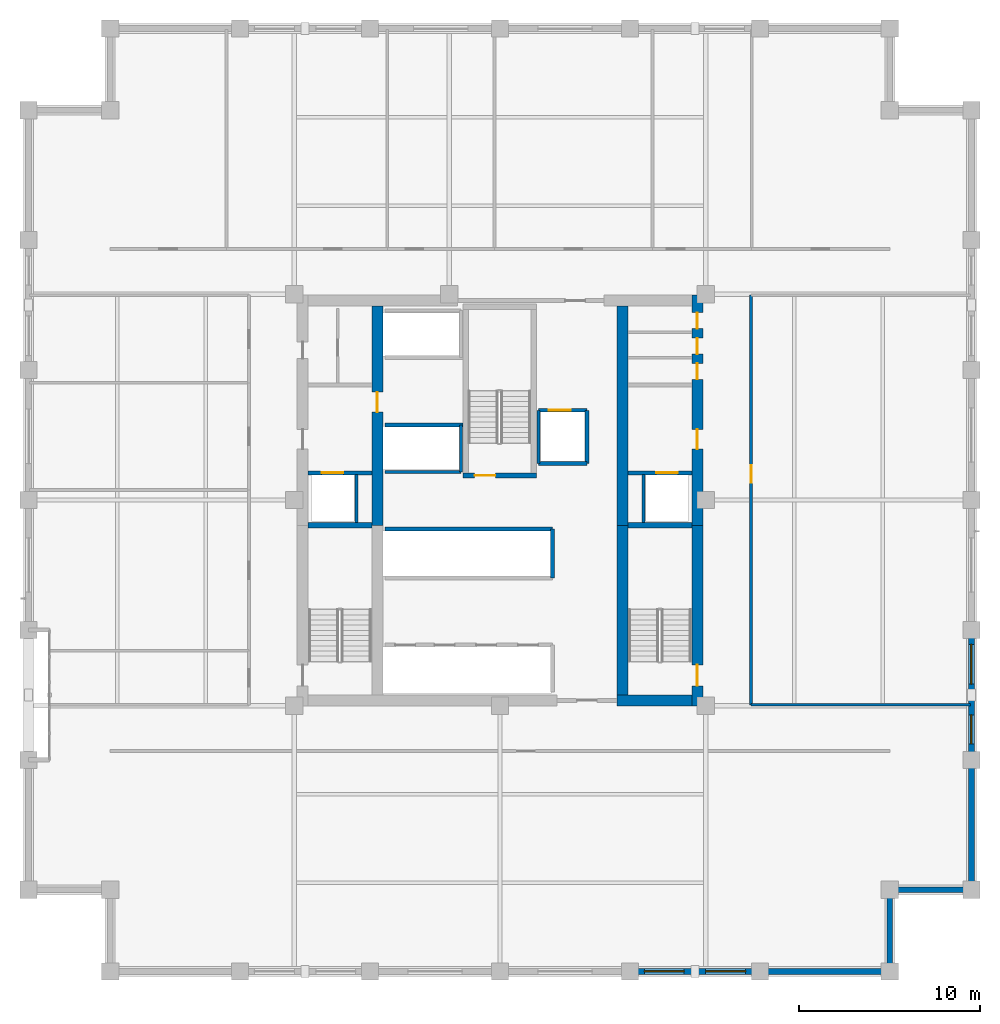
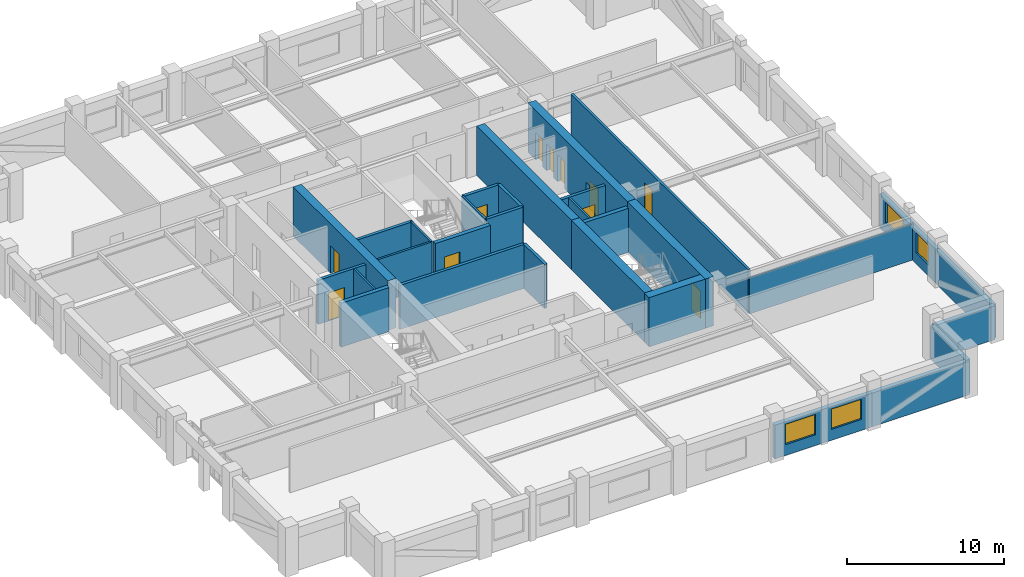
# One storey, part 10 of 14: 30 walls, 11 doors, 4 windows, 15 openings.
"""IFC4 building model written with IfcOpenShell, lengths in metres."""

import ifcopenshell
import ifcopenshell.guid

model = None  # the IFC model being written
_history = None  # IfcOwnerHistory: only IFC2X3 demands one
_inside = {}  # id of a spatial element -> (the spatial element, [elements in it])
_under = {}  # id of a project, library or spatial element -> (it, [spatial elements below it])
_declared = {}  # id of a project -> (the project, [libraries it declares])
_typed = {}  # id of a type object -> (the type object, [elements of that type])
_made_of = {}  # id of a material, layer set ... -> (it, [elements and type objects made of it])


def new_model(schema):
    """Start an empty IFC model of exactly this schema.

    Asked for "IFC4X3", IfcOpenShell would pick the latest addendum, in which some entities
    have other attributes; the version numbers below select the first issue.
    IFC2X3 requires an IfcOwnerHistory on every rooted entity: one is made here for all.
    """
    global model, _history
    if schema == "IFC4X3":
        model = ifcopenshell.file(schema_version=(4, 3, 0, 0))
    else:
        model = ifcopenshell.file(schema=schema)
    _inside.clear()
    _under.clear()
    _declared.clear()
    _typed.clear()
    _made_of.clear()
    _history = None
    if model.schema == "IFC2X3":
        org = make("IfcOrganization", Name="unknown")
        user = make(
            "IfcPersonAndOrganization",
            ThePerson=make("IfcPerson", FamilyName="unknown"),
            TheOrganization=org,
        )
        app = make(
            "IfcApplication",
            ApplicationDeveloper=org,
            Version="unknown",
            ApplicationFullName="unknown",
            ApplicationIdentifier="unknown",
        )
        _history = make(
            "IfcOwnerHistory",
            OwningUser=user,
            OwningApplication=app,
            ChangeAction="ADDED",
            CreationDate=0,
        )
    return model


def make(cls, **values):
    """One entity of the class cls with the attributes given. An attribute that is None is left unset."""
    return model.create_entity(
        cls, **{name: value for name, value in values.items() if value is not None}
    )


def rooted(cls, **values):
    """An entity with a GlobalId (a new one), such as an element, a storey or a relation."""
    return make(cls, GlobalId=ifcopenshell.guid.new(), OwnerHistory=_history, **values)


def si_unit(unit_type, name, prefix=None):
    """IfcSIUnit, for example si_unit("LENGTHUNIT", "METRE", prefix="MILLI")."""
    return make("IfcSIUnit", UnitType=unit_type, Prefix=prefix, Name=name)


def assignment(units):
    """IfcUnitAssignment: the units of a project."""
    return None if units is None else make("IfcUnitAssignment", Units=units)


def point(xyz):
    """IfcCartesianPoint."""
    return None if xyz is None else make("IfcCartesianPoint", Coordinates=xyz)


def direction(xyz):
    """IfcDirection."""
    return None if xyz is None else make("IfcDirection", DirectionRatios=xyz)


def frame(location, z_axis=None, x_axis=None):
    """IfcAxis2Placement3D, a coordinate frame: its origin and axes. An axis left out is left unset."""
    return make(
        "IfcAxis2Placement3D",
        Location=point(location),
        Axis=direction(z_axis),
        RefDirection=direction(x_axis),
    )


def frame_2d(location, x_axis=None):
    """IfcAxis2Placement2D, a coordinate frame in the plane: its origin and x axis."""
    return make(
        "IfcAxis2Placement2D", Location=point(location), RefDirection=direction(x_axis)
    )


def origin():
    """The frame at (0, 0, 0) with its axes left unset."""
    return frame((0.0, 0.0, 0.0))


def place(relative_to, where):
    """IfcLocalPlacement: puts the frame where relative to a parent placement (None: the world)."""
    return make(
        "IfcLocalPlacement", PlacementRelTo=relative_to, RelativePlacement=where
    )


def context(
    kind, dimensions, precision=None, world=None, true_north=None, identifier=None
):
    """IfcGeometricRepresentationContext, for example the 3D "Model" context."""
    return make(
        "IfcGeometricRepresentationContext",
        ContextIdentifier=identifier,
        ContextType=kind,
        CoordinateSpaceDimension=dimensions,
        Precision=precision,
        WorldCoordinateSystem=world,
        TrueNorth=true_north,
    )


def subcontext(parent, identifier, kind, view, scale=None):
    """IfcGeometricRepresentationSubContext, for example "Body" below "Model"."""
    return make(
        "IfcGeometricRepresentationSubContext",
        ContextIdentifier=identifier,
        ContextType=kind,
        ParentContext=parent,
        TargetScale=scale,
        TargetView=view,
    )


def project(units=None, contexts=None):
    """IfcProject with its units and contexts."""
    return rooted(
        "IfcProject",
        Name="project",
        RepresentationContexts=contexts,
        UnitsInContext=assignment(units),
    )


def spatial(cls, under=None, at=None, **own):
    """A site, building, storey or space (cls), placed at a placement, below another one or the project."""
    s = rooted(cls, ObjectPlacement=at, **own)
    if under is not None:
        _under.setdefault(under.id(), (under, []))[1].append(s)
    return s


def profile(cls, at=None, kind="AREA", **sizes):
    """A parametric profile (cls). Its sizes go by their IFC names, for example OverallWidth=200.0."""
    return make(cls, ProfileType=kind, Position=at, **sizes)


def rectangle(**sizes):
    """IfcRectangleProfileDef."""
    return profile("IfcRectangleProfileDef", **sizes)


def extrude(swept, where, along, depth):
    """IfcExtrudedAreaSolid: the profile swept, set in the frame where, extruded along a direction by depth."""
    return make(
        "IfcExtrudedAreaSolid",
        SweptArea=swept,
        Position=where,
        ExtrudedDirection=direction(along),
        Depth=depth,
    )


def shape(context_of_items, identifier, shape_type, items):
    """IfcShapeRepresentation: the items that make up one representation, for example the "Body"."""
    return make(
        "IfcShapeRepresentation",
        ContextOfItems=context_of_items,
        RepresentationIdentifier=identifier,
        RepresentationType=shape_type,
        Items=items,
    )


def material(Name=None, Category=None):
    """IfcMaterial."""
    return make("IfcMaterial", Name=Name, Category=Category)


def layer(
    of_material, thickness, ventilated=None, Name=None, Category=None, Priority=None
):
    """IfcMaterialLayer: one layer of a wall or slab, of a material (None: an air gap)."""
    return make(
        "IfcMaterialLayer",
        Material=of_material,
        LayerThickness=thickness,
        IsVentilated=ventilated,
        Name=Name,
        Category=Category,
        Priority=Priority,
    )


def layer_set(layers, Name=None):
    """IfcMaterialLayerSet."""
    return make("IfcMaterialLayerSet", MaterialLayers=layers, LayerSetName=Name)


def made_of(thing, what):
    """Note that an element or type object is made of a material, layer set ...; save() writes the relation."""
    if what is not None:
        _made_of.setdefault(what.id(), (what, []))[1].append(thing)
    return thing


def type_object(cls, material=None, **own):
    """A type object (cls), such as IfcWallType, which elements share."""
    return made_of(rooted(cls, **own), material)


def element(
    cls,
    number,
    at=None,
    inside=None,
    cuts=None,
    type_object=None,
    material=None,
    context=None,
    identifier="Body",
    shape_type=None,
    held_by="IfcProductDefinitionShape",
    body=None,
    shapes=None,
    **own,
):
    """One element of the class cls, such as IfcWall. Its Tag is "e" and its number.

    at: its placement. inside: the storey or other place that contains it. cuts: it is an
    opening in that element (IfcRelVoidsElement). A single representation is given by context,
    identifier, shape_type and body (its items); several are given by shapes. held_by: the class
    of the entity that holds the representations. save() writes the other relations.
    """
    e = rooted(cls, Tag="e%d" % number, ObjectPlacement=at, **own)
    if body is not None:
        shapes = [shape(context, identifier, shape_type, body)]
    if shapes is not None:
        e.Representation = make(held_by, Representations=shapes)
    if inside is not None:
        _inside.setdefault(inside.id(), (inside, []))[1].append(e)
    if cuts is not None:
        rooted(
            "IfcRelVoidsElement", RelatingBuildingElement=cuts, RelatedOpeningElement=e
        )
    if type_object is not None:
        _typed.setdefault(type_object.id(), (type_object, []))[1].append(e)
    return made_of(e, material)


def fill(opening, filler):
    """IfcRelFillsElement: the door or window that sits in an opening."""
    return rooted(
        "IfcRelFillsElement",
        RelatingOpeningElement=opening,
        RelatedBuildingElement=filler,
    )


def aggregate(whole, parts):
    """IfcRelAggregates: a whole, such as a stair, and the parts it consists of."""
    return rooted("IfcRelAggregates", RelatingObject=whole, RelatedObjects=parts)


def save(model, path):
    """Write the relations noted so far, then the file.

    IfcRelAggregates (storeys below a building ...), IfcRelContainedInSpatialStructure (elements
    in a storey), IfcRelDefinesByType, IfcRelAssociatesMaterial and IfcRelDeclares: one each for
    every whole, place, type object, material and project.
    """
    for whole, parts in _under.values():
        aggregate(whole, parts)
    for where, things in _inside.values():
        rooted(
            "IfcRelContainedInSpatialStructure",
            RelatedElements=things,
            RelatingStructure=where,
        )
    for kind, things in _typed.values():
        rooted("IfcRelDefinesByType", RelatedObjects=things, RelatingType=kind)
    for what, things in _made_of.values():
        rooted("IfcRelAssociatesMaterial", RelatedObjects=things, RelatingMaterial=what)
    for by, libraries in _declared.values():
        rooted("IfcRelDeclares", RelatingContext=by, RelatedDefinitions=libraries)
    model.write(path)


model = new_model("IFC4")

# Units and contexts
model_context = context("Model", 3, precision=1e-05, world=origin(), true_north=direction((0.0, 1.0)))
body_context = subcontext(model_context, "Body", "Model", "MODEL_VIEW")
ifc_project = project(units=[si_unit("LENGTHUNIT", "METRE"), si_unit("AREAUNIT", "SQUARE_METRE"), si_unit("VOLUMEUNIT", "CUBIC_METRE"), si_unit("PLANEANGLEUNIT", "RADIAN"), si_unit("MASSUNIT", "GRAM", prefix="KILO")], contexts=[model_context])

# Site, building, storey
site_placement = place(None, origin())
site = spatial("IfcSite", under=ifc_project, at=site_placement, CompositionType="ELEMENT")
building_placement = place(site_placement, origin())
building = spatial("IfcBuilding", under=site, at=building_placement, Name="Nhamokura Convention Tower", CompositionType="ELEMENT")
storey_placement = place(building_placement, frame((0.0, 0.0, 172.199951171875)))
storey = spatial("IfcBuildingStorey", under=building, at=storey_placement, Name="L42", CompositionType="ELEMENT", Elevation=172.199951171875)

# Wall, openings, windows
ifc_material_1 = material(Name="Bronze-pigmented precast concrete C45/55", Category="concrete")
ifc_layer_1 = layer(ifc_material_1, 0.320068359375)
ifc_layer_set_1 = layer_set([ifc_layer_1], Name="BronzePrecastSpandrel_320")
wall_type_1 = type_object("IfcWallType", Name="BronzePrecastSpandrel_320", PredefinedType="USERDEFINED", material=ifc_layer_set_1)
wall_1_placement = place(storey_placement, frame((46.333251953125, 6.0, 0.0), z_axis=(0.0, 0.0, 1.0), x_axis=(-1.0, 0.0, 0.0)))
wall_1 = element("IfcWall", 1, at=wall_1_placement, inside=storey, type_object=wall_type_1, Name="L42 Masonry-Frame Wall SOUTH 4", ObjectType="SPANDREL_WALL", PredefinedType="USERDEFINED", context=body_context, shape_type="SweptSolid", body=[
    extrude(rectangle(XDim=7.16650390625, YDim=0.320068359375, at=frame_2d((3.583251953125, 0.0))), origin(), (0.0, 0.0, 1.0), 2.630126953125),
])
opening_1_placement = place(wall_1_placement, frame((0.791748046875, 0.0, 0.85009765625)))
opening_1 = element("IfcOpeningElement", 2, at=opening_1_placement, cuts=wall_1, Name="Opening W-06", PredefinedType="OPENING", context=body_context, shape_type="SweptSolid", body=[
    extrude(rectangle(XDim=2.199951171875, YDim=1.580078125, at=frame_2d((1.10009765625, 0.7900390625))), frame((0.0, 0.169921875, 0.0), z_axis=(0.0, -1.0, 0.0), x_axis=(1.0, 0.0, 0.0)), (0.0, 0.0, 1.0), 0.340087890625),
])
opening_2_placement = place(wall_1_placement, frame((4.175048828125, 0.0, 0.85009765625)))
opening_2 = element("IfcOpeningElement", 3, at=opening_2_placement, cuts=wall_1, Name="Opening W-06", PredefinedType="OPENING", context=body_context, shape_type="SweptSolid", body=[
    extrude(rectangle(XDim=2.199951171875, YDim=1.580078125, at=frame_2d((1.10009765625, 0.7900390625))), frame((0.0, 0.169921875, 0.0), z_axis=(0.0, -1.0, 0.0), x_axis=(1.0, 0.0, 0.0)), (0.0, 0.0, 1.0), 0.340087890625),
])
ifc_material_2 = material(Name="Solar-control bronze low-E double glass", Category="glass")
window_type_1 = type_object("IfcWindowType", Name="OfficeModuleWindow_Z2_2200", PartitioningType="SINGLE_PANEL", PredefinedType="WINDOW", material=ifc_material_2)
window_1_placement = place(opening_1_placement, origin())
window_1 = element("IfcWindow", 4, at=window_1_placement, inside=storey, type_object=window_type_1, Name="L42 Facade Window SOUTH 4-1", OverallHeight=1.580078125, OverallWidth=2.199951171875, PartitioningType="SINGLE_PANEL", PredefinedType="WINDOW", context=body_context, shape_type="SweptSolid", body=[
    extrude(rectangle(XDim=2.199951171875, YDim=1.580078125, at=frame_2d((1.10009765625, 0.7900390625))), frame((0.0, 0.030029296875, 0.0), z_axis=(0.0, -1.0, 0.0), x_axis=(1.0, 0.0, 0.0)), (0.0, 0.0, 1.0), 0.06005859375),
])
fill(opening_1, window_1)
window_2_placement = place(opening_2_placement, origin())
window_2 = element("IfcWindow", 5, at=window_2_placement, inside=storey, type_object=window_type_1, Name="L42 Facade Window SOUTH 4-2", OverallHeight=1.580078125, OverallWidth=2.199951171875, PartitioningType="SINGLE_PANEL", PredefinedType="WINDOW", context=body_context, shape_type="SweptSolid", body=[
    extrude(rectangle(XDim=2.199951171875, YDim=1.580078125, at=frame_2d((1.10009765625, 0.7900390625))), frame((0.0, 0.030029296875, 0.0), z_axis=(0.0, -1.0, 0.0), x_axis=(1.0, 0.0, 0.0)), (0.0, 0.0, 1.0), 0.06005859375),
])
fill(opening_2, window_2)

# Walls
for number, where, z_axis, x_axis, name in (
    (6, (53.5, 6.0, 0.0), (0.0, 0.0, 1.0), (-1.0, 0.0, 0.0), "L42 Braced-Bay Precast Wall SOUTH 5"),
    (7, (58.0, 17.666748046875, 0.0), (0.0, 0.0, 1.0), (0.0, -1.0, 0.0), "L42 Braced-Bay Precast Wall EAST 0"),
):
    element("IfcWall", number, at=place(storey_placement, frame(where, z_axis=z_axis, x_axis=x_axis)), inside=storey, type_object=wall_type_1, Name=name, ObjectType="SPANDREL_WALL", PredefinedType="USERDEFINED", context=body_context, shape_type="SweptSolid", body=[
        extrude(rectangle(XDim=7.166748046875, YDim=0.320068359375, at=frame_2d((3.58349609375, 0.0))), origin(), (0.0, 0.0, 1.0), 2.630126953125),
    ])

# Wall, openings, windows
wall_2_placement = place(storey_placement, frame((58.0, 24.833251953125, 0.0), z_axis=(0.0, 0.0, 1.0), x_axis=(0.0, -1.0, 0.0)))
wall_2 = element("IfcWall", 8, at=wall_2_placement, inside=storey, type_object=wall_type_1, Name="L42 Masonry-Frame Wall EAST 1", ObjectType="SPANDREL_WALL", PredefinedType="USERDEFINED", context=body_context, shape_type="SweptSolid", body=[
    extrude(rectangle(XDim=7.16650390625, YDim=0.320068359375, at=frame_2d((3.583251953125, 0.0))), origin(), (0.0, 0.0, 1.0), 2.630126953125),
])
opening_3_placement = place(wall_2_placement, frame((0.791748046875, 0.0, 0.85009765625)))
opening_3 = element("IfcOpeningElement", 9, at=opening_3_placement, cuts=wall_2, Name="Opening W-06", PredefinedType="OPENING", context=body_context, shape_type="SweptSolid", body=[
    extrude(rectangle(XDim=2.199951171875, YDim=1.580078125, at=frame_2d((1.10009765625, 0.7900390625))), frame((0.0, 0.169921875, 0.0), z_axis=(0.0, -1.0, 0.0), x_axis=(1.0, 0.0, 0.0)), (0.0, 0.0, 1.0), 0.340087890625),
])
opening_4_placement = place(wall_2_placement, frame((4.6875, 0.0, 0.85009765625)))
opening_4 = element("IfcOpeningElement", 10, at=opening_4_placement, cuts=wall_2, Name="Opening W-11", PredefinedType="OPENING", context=body_context, shape_type="SweptSolid", body=[
    extrude(rectangle(XDim=1.60009765625, YDim=1.580078125, at=frame_2d((0.800048828125, 0.7900390625))), frame((0.0, 0.169921875, 0.0), z_axis=(0.0, -1.0, 0.0), x_axis=(1.0, 0.0, 0.0)), (0.0, 0.0, 1.0), 0.340087890625),
])
ifc_material_3 = material(Name="Solar-control bronze low-E double glass", Category="glass")
window_type_2 = type_object("IfcWindowType", Name="NotchCornerWindow_1600", PartitioningType="SINGLE_PANEL", PredefinedType="WINDOW", material=ifc_material_3)
window_3_placement = place(opening_4_placement, origin())
window_3 = element("IfcWindow", 11, at=window_3_placement, inside=storey, type_object=window_type_2, Name="L42 Facade Window EAST 1-2", OverallHeight=1.580078125, OverallWidth=1.60009765625, PartitioningType="SINGLE_PANEL", PredefinedType="WINDOW", context=body_context, shape_type="SweptSolid", body=[
    extrude(rectangle(XDim=1.60009765625, YDim=1.580078125, at=frame_2d((0.800048828125, 0.7900390625))), frame((0.0, 0.030029296875, 0.0), z_axis=(0.0, -1.0, 0.0), x_axis=(1.0, 0.0, 0.0)), (0.0, 0.0, 1.0), 0.06005859375),
])
fill(opening_4, window_3)
window_4_placement = place(opening_3_placement, origin())
window_4 = element("IfcWindow", 12, at=window_4_placement, inside=storey, type_object=window_type_1, Name="L42 Facade Window EAST 1-1", OverallHeight=1.580078125, OverallWidth=2.199951171875, PartitioningType="SINGLE_PANEL", PredefinedType="WINDOW", context=body_context, shape_type="SweptSolid", body=[
    extrude(rectangle(XDim=2.199951171875, YDim=1.580078125, at=frame_2d((1.10009765625, 0.7900390625))), frame((0.0, 0.030029296875, 0.0), z_axis=(0.0, -1.0, 0.0), x_axis=(1.0, 0.0, 0.0)), (0.0, 0.0, 1.0), 0.06005859375),
])
fill(opening_3, window_4)

# Walls
for number, where, z_axis, x_axis, name in (
    (13, (53.5, 10.5, 0.0), (0.0, 0.0, 1.0), (0.0, -1.0, 0.0), "L42 Notched Corner Wall SE1"),
    (14, (58.0, 10.5, 0.0), (0.0, 0.0, 1.0), (-1.0, 0.0, 0.0), "L42 Notched Corner Wall SE2"),
):
    element("IfcWall", number, at=place(storey_placement, frame(where, z_axis=z_axis, x_axis=x_axis)), inside=storey, type_object=wall_type_1, Name=name, ObjectType="SPANDREL_WALL", PredefinedType="USERDEFINED", context=body_context, shape_type="SweptSolid", body=[
        extrude(rectangle(XDim=4.5, YDim=0.320068359375, at=frame_2d((2.25, 0.0))), origin(), (0.0, 0.0, 1.0), 2.630126953125),
    ])

# Wall, opening, door
ifc_material_4 = material(Name="Concrete C60/75", Category="concrete")
ifc_layer_2 = layer(ifc_material_4, 0.60009765625)
ifc_layer_set_2 = layer_set([ifc_layer_2], Name="CoreShearWall_600")
wall_type_2 = type_object("IfcWallType", Name="CoreShearWall_600", PredefinedType="SHEAR", material=ifc_layer_set_2)
wall_3_placement = place(storey_placement, frame((42.889892578125, 20.64990234375, 0.0), z_axis=(0.0, 0.0, 1.0), x_axis=(0.0, 1.0, 0.0)))
wall_3 = element("IfcWall", 15, at=wall_3_placement, inside=storey, type_object=wall_type_2, Name="L42 Core Shear Wall CW-ES", PredefinedType="SHEAR", context=body_context, shape_type="SweptSolid", body=[
    extrude(rectangle(XDim=9.9501953125, YDim=0.60009765625, at=frame_2d((4.97509765625, 0.0))), origin(), (0.0, 0.0, 1.0), 3.85009765625),
])
opening_5_placement = place(wall_3_placement, frame((1.10009765625, 0.0, 0.0)))
opening_5 = element("IfcOpeningElement", 16, at=opening_5_placement, cuts=wall_3, Name="Opening D-04", PredefinedType="OPENING", context=body_context, shape_type="SweptSolid", body=[
    extrude(rectangle(XDim=1.14990234375, YDim=2.14990234375, at=frame_2d((0.574951171875, 1.074951171875))), frame((0.0, 0.31005859375, 0.0), z_axis=(0.0, -1.0, 0.0), x_axis=(1.0, 0.0, 0.0)), (0.0, 0.0, 1.0), 0.6201171875),
])
ifc_material_5 = material(Name="Fire-rated steel door", Category="steel")
door_type_1 = type_object("IfcDoorType", Name="StairSmokeDoor_1150", OperationType="NOTDEFINED", PredefinedType="DOOR", material=ifc_material_5)
door_1_placement = place(opening_5_placement, origin())
door_1 = element("IfcDoor", 17, at=door_1_placement, inside=storey, type_object=door_type_1, Name="L42 Core Door INT-L42-D-ST02", OperationType="SINGLE_SWING_RIGHT", OverallHeight=2.14990234375, OverallWidth=1.14990234375, PredefinedType="DOOR", context=body_context, shape_type="SweptSolid", body=[
    extrude(rectangle(XDim=1.14990234375, YDim=2.14990234375, at=frame_2d((0.574951171875, 1.074951171875))), frame((0.0, 0.02490234375, 0.0), z_axis=(0.0, -1.0, 0.0), x_axis=(1.0, 0.0, 0.0)), (0.0, 0.0, 1.0), 0.050048828125),
])
fill(opening_5, door_1)

# Wall, openings, doors
wall_4_placement = place(storey_placement, frame((42.889892578125, 30.60009765625, 0.0), z_axis=(0.0, 0.0, 1.0), x_axis=(0.0, 1.0, 0.0)))
wall_4 = element("IfcWall", 18, at=wall_4_placement, inside=storey, type_object=wall_type_2, Name="L42 Core Shear Wall CW-EN", PredefinedType="SHEAR", context=body_context, shape_type="SweptSolid", body=[
    extrude(rectangle(XDim=12.699951171875, YDim=0.60009765625, at=frame_2d((6.35009765625, 0.0))), origin(), (0.0, 0.0, 1.0), 3.85009765625),
])
opening_6_placement = place(wall_4_placement, frame((4.199951171875, 0.0, 0.0)))
opening_6 = element("IfcOpeningElement", 19, at=opening_6_placement, cuts=wall_4, Name="Opening D-05", PredefinedType="OPENING", context=body_context, shape_type="SweptSolid", body=[
    extrude(rectangle(XDim=1.10009765625, YDim=2.14990234375, at=frame_2d((0.550048828125, 1.074951171875))), frame((0.0, 0.31005859375, 0.0), z_axis=(0.0, -1.0, 0.0), x_axis=(1.0, 0.0, 0.0)), (0.0, 0.0, 1.0), 0.6201171875),
])
opening_7_placement = place(wall_4_placement, frame((8.050048828125, 0.0, 0.0)))
opening_7 = element("IfcOpeningElement", 20, at=opening_7_placement, cuts=wall_4, Name="Opening D-11", PredefinedType="OPENING", context=body_context, shape_type="SweptSolid", body=[
    extrude(rectangle(XDim=0.8798828125, YDim=2.10009765625, at=frame_2d((0.43994140625, 1.050048828125))), frame((0.0, 0.31005859375, 0.0), z_axis=(0.0, -1.0, 0.0), x_axis=(1.0, 0.0, 0.0)), (0.0, 0.0, 1.0), 0.6201171875),
])
opening_8_placement = place(wall_4_placement, frame((9.449951171875, 0.0, 0.0)))
opening_8 = element("IfcOpeningElement", 21, at=opening_8_placement, cuts=wall_4, Name="Opening D-11", PredefinedType="OPENING", context=body_context, shape_type="SweptSolid", body=[
    extrude(rectangle(XDim=0.8798828125, YDim=2.10009765625, at=frame_2d((0.43994140625, 1.050048828125))), frame((0.0, 0.31005859375, 0.0), z_axis=(0.0, -1.0, 0.0), x_axis=(1.0, 0.0, 0.0)), (0.0, 0.0, 1.0), 0.6201171875),
])
opening_9_placement = place(wall_4_placement, frame((10.85009765625, 0.0, 0.0)))
opening_9 = element("IfcOpeningElement", 22, at=opening_9_placement, cuts=wall_4, Name="Opening D-11", PredefinedType="OPENING", context=body_context, shape_type="SweptSolid", body=[
    extrude(rectangle(XDim=0.8798828125, YDim=2.10009765625, at=frame_2d((0.43994140625, 1.050048828125))), frame((0.0, 0.31005859375, 0.0), z_axis=(0.0, -1.0, 0.0), x_axis=(1.0, 0.0, 0.0)), (0.0, 0.0, 1.0), 0.6201171875),
])
ifc_material_6 = material(Name="Solid oak hardwood", Category="wood")
door_type_2 = type_object("IfcDoorType", Name="BathroomDoor_880", OperationType="NOTDEFINED", PredefinedType="DOOR", material=ifc_material_6)
door_2_placement = place(opening_7_placement, origin())
door_2 = element("IfcDoor", 23, at=door_2_placement, inside=storey, type_object=door_type_2, Name="L42 Core Door INT-L42-D-MWC", OperationType="SINGLE_SWING_LEFT", OverallHeight=2.10009765625, OverallWidth=0.8798828125, PredefinedType="DOOR", context=body_context, shape_type="SweptSolid", body=[
    extrude(rectangle(XDim=0.8798828125, YDim=2.10009765625, at=frame_2d((0.43994140625, 1.050048828125))), frame((0.0, 0.02490234375, 0.0), z_axis=(0.0, -1.0, 0.0), x_axis=(1.0, 0.0, 0.0)), (0.0, 0.0, 1.0), 0.050048828125),
])
fill(opening_7, door_2)
door_3_placement = place(opening_8_placement, origin())
door_3 = element("IfcDoor", 24, at=door_3_placement, inside=storey, type_object=door_type_2, Name="L42 Core Door INT-L42-D-FWC", OperationType="SINGLE_SWING_RIGHT", OverallHeight=2.10009765625, OverallWidth=0.8798828125, PredefinedType="DOOR", context=body_context, shape_type="SweptSolid", body=[
    extrude(rectangle(XDim=0.8798828125, YDim=2.10009765625, at=frame_2d((0.43994140625, 1.050048828125))), frame((0.0, 0.02490234375, 0.0), z_axis=(0.0, -1.0, 0.0), x_axis=(1.0, 0.0, 0.0)), (0.0, 0.0, 1.0), 0.050048828125),
])
fill(opening_8, door_3)
door_4_placement = place(opening_9_placement, origin())
door_4 = element("IfcDoor", 25, at=door_4_placement, inside=storey, type_object=door_type_2, Name="L42 Core Door INT-L42-D-ARC", OperationType="SINGLE_SWING_LEFT", OverallHeight=2.10009765625, OverallWidth=0.8798828125, PredefinedType="DOOR", context=body_context, shape_type="SweptSolid", body=[
    extrude(rectangle(XDim=0.8798828125, YDim=2.10009765625, at=frame_2d((0.43994140625, 1.050048828125))), frame((0.0, 0.02490234375, 0.0), z_axis=(0.0, -1.0, 0.0), x_axis=(1.0, 0.0, 0.0)), (0.0, 0.0, 1.0), 0.050048828125),
])
fill(opening_9, door_4)
ifc_material_7 = material(Name="Fire-rated steel door", Category="steel")
door_type_3 = type_object("IfcDoorType", Name="FireLobbyDoor_1100", OperationType="NOTDEFINED", PredefinedType="DOOR", material=ifc_material_7)
door_5_placement = place(opening_6_placement, origin())
door_5 = element("IfcDoor", 26, at=door_5_placement, inside=storey, type_object=door_type_3, Name="L42 Core Door INT-L42-D-FFLE", OperationType="SINGLE_SWING_LEFT", OverallHeight=2.14990234375, OverallWidth=1.10009765625, PredefinedType="DOOR", context=body_context, shape_type="SweptSolid", body=[
    extrude(rectangle(XDim=1.10009765625, YDim=2.14990234375, at=frame_2d((0.550048828125, 1.074951171875))), frame((0.0, 0.02490234375, 0.0), z_axis=(0.0, -1.0, 0.0), x_axis=(1.0, 0.0, 0.0)), (0.0, 0.0, 1.0), 0.050048828125),
])
fill(opening_6, door_5)

# Wall
wall_5_placement = place(storey_placement, frame((38.449951171875, 20.949951171875, 0.0), z_axis=(0.0, 0.0, 1.0), x_axis=(1.0, 0.0, 0.0)))
element("IfcWall", 27, at=wall_5_placement, inside=storey, type_object=wall_type_2, Name="L42 Core Shear Wall CW-S2", PredefinedType="SHEAR", context=body_context, shape_type="SweptSolid", body=[
    extrude(rectangle(XDim=4.14013671875, YDim=0.60009765625, at=frame_2d((2.070068359375, 0.0))), origin(), (0.0, 0.0, 1.0), 3.85009765625),
])

# Wall, opening, door
wall_6_placement = place(storey_placement, frame((25.239990234375, 30.60009765625, 0.0), z_axis=(0.0, 0.0, 1.0), x_axis=(0.0, 1.0, 0.0)))
wall_6 = element("IfcWall", 28, at=wall_6_placement, inside=storey, type_object=wall_type_2, Name="L42 Core Shear Wall CW-IWN", PredefinedType="SHEAR", context=body_context, shape_type="SweptSolid", body=[
    extrude(rectangle(XDim=12.099853515625, YDim=0.60009765625, at=frame_2d((6.0498046875, 0.0))), origin(), (0.0, 0.0, 1.0), 3.85009765625),
])
opening_10_placement = place(wall_6_placement, frame((6.25, 0.0, 0.0)))
opening_10 = element("IfcOpeningElement", 29, at=opening_10_placement, cuts=wall_6, Name="Opening D-05", PredefinedType="OPENING", context=body_context, shape_type="SweptSolid", body=[
    extrude(rectangle(XDim=1.10009765625, YDim=2.14990234375, at=frame_2d((0.550048828125, 1.074951171875))), frame((0.0, 0.31005859375, 0.0), z_axis=(0.0, -1.0, 0.0), x_axis=(1.0, 0.0, 0.0)), (0.0, 0.0, 1.0), 0.6201171875),
])
door_6_placement = place(opening_10_placement, origin())
door_6 = element("IfcDoor", 30, at=door_6_placement, inside=storey, type_object=door_type_3, Name="L42 Core Door INT-L42-D-B3LOB", OperationType="SINGLE_SWING_LEFT", OverallHeight=2.14990234375, OverallWidth=1.10009765625, PredefinedType="DOOR", context=body_context, shape_type="SweptSolid", body=[
    extrude(rectangle(XDim=1.10009765625, YDim=2.14990234375, at=frame_2d((0.550048828125, 1.074951171875))), frame((0.0, 0.02490234375, 0.0), z_axis=(0.0, -1.0, 0.0), x_axis=(1.0, 0.0, 0.0)), (0.0, 0.0, 1.0), 0.050048828125),
])
fill(opening_10, door_6)

# Walls
wall_7_placement = place(storey_placement, frame((38.760009765625, 21.25, 0.0), z_axis=(0.0, 0.0, 1.0), x_axis=(0.0, 1.0, 0.0)))
element("IfcWall", 31, at=wall_7_placement, inside=storey, type_object=wall_type_2, Name="L42 Core Shear Wall CW-IES", PredefinedType="SHEAR", context=body_context, shape_type="SweptSolid", body=[
    extrude(rectangle(XDim=9.35009765625, YDim=0.60009765625, at=frame_2d((4.675048828125, 0.0))), origin(), (0.0, 0.0, 1.0), 3.85009765625),
])
wall_8_placement = place(storey_placement, frame((38.760009765625, 30.60009765625, 0.0), z_axis=(0.0, 0.0, 1.0), x_axis=(0.0, 1.0, 0.0)))
element("IfcWall", 32, at=wall_8_placement, inside=storey, type_object=wall_type_2, Name="L42 Core Shear Wall CW-IEN", PredefinedType="SHEAR", context=body_context, shape_type="SweptSolid", body=[
    extrude(rectangle(XDim=12.099853515625, YDim=0.60009765625, at=frame_2d((6.0498046875, 0.0))), origin(), (0.0, 0.0, 1.0), 3.85009765625),
])

# Wall, opening, door
ifc_material_8 = material(Name="Fire-rated gypsum and masonry partition", Category="masonry")
ifc_layer_3 = layer(ifc_material_8, 0.179931640625)
ifc_layer_set_3 = layer_set([ifc_layer_3], Name="CorridorRatedWall_180")
wall_type_3 = type_object("IfcWallType", Name="CorridorRatedWall_180", PredefinedType="STANDARD", material=ifc_layer_set_3)
wall_9_placement = place(storey_placement, frame((45.85009765625, 20.699951171875, 0.0), z_axis=(0.0, 0.0, 1.0), x_axis=(0.0, 1.0, 0.0)))
wall_9 = element("IfcWall", 33, at=wall_9_placement, inside=storey, type_object=wall_type_3, Name="L42 Wall INT-L42-CW-E00", PredefinedType="STANDARD", context=body_context, shape_type="SweptSolid", body=[
    extrude(rectangle(XDim=22.60009765625, YDim=0.179931640625, at=frame_2d((11.300048828125, 0.0))), origin(), (0.0, 0.0, 1.0), 3.429931640625),
])
opening_11_placement = place(wall_9_placement, frame((12.25, 0.0, 0.0)))
opening_11 = element("IfcOpeningElement", 34, at=opening_11_placement, cuts=wall_9, Name="Opening D-08", PredefinedType="OPENING", context=body_context, shape_type="SweptSolid", body=[
    extrude(rectangle(XDim=0.97998046875, YDim=2.199951171875, at=frame_2d((0.489990234375, 1.10009765625))), frame((0.0, 0.099853515625, 0.0), z_axis=(0.0, -1.0, 0.0), x_axis=(1.0, 0.0, 0.0)), (0.0, 0.0, 1.0), 0.199951171875),
])
ifc_material_9 = material(Name="Solid oak hardwood", Category="wood")
door_type_4 = type_object("IfcDoorType", Name="OfficeEntryDoor_980", OperationType="NOTDEFINED", PredefinedType="DOOR", material=ifc_material_9)
door_7_placement = place(opening_11_placement, origin())
door_7 = element("IfcDoor", 35, at=door_7_placement, inside=storey, type_object=door_type_4, Name="L42 Staff Kitchen E01 Door", OperationType="SINGLE_SWING_LEFT", OverallHeight=2.199951171875, OverallWidth=0.97998046875, PredefinedType="DOOR", context=body_context, shape_type="SweptSolid", body=[
    extrude(rectangle(XDim=0.97998046875, YDim=2.199951171875, at=frame_2d((0.489990234375, 1.10009765625))), frame((0.0, 0.02490234375, 0.0), z_axis=(0.0, -1.0, 0.0), x_axis=(1.0, 0.0, 0.0)), (0.0, 0.0, 1.0), 0.050048828125),
])
fill(opening_11, door_7)

ifc_material_10 = material(Name="Autoclaved concrete blockwork", Category="masonry")
ifc_layer_4 = layer(ifc_material_10, 0.219970703125)
ifc_layer_set_4 = layer_set([ifc_layer_4], Name="FireLobbyWall_220")
wall_type_4 = type_object("IfcWallType", Name="FireLobbyWall_220", PredefinedType="STANDARD", material=ifc_layer_set_4)
wall_10_placement = place(storey_placement, frame((21.409912109375, 33.5, 0.0), z_axis=(0.0, 0.0, 1.0), x_axis=(1.0, 0.0, 0.0)))
wall_10 = element("IfcWall", 36, at=wall_10_placement, inside=storey, type_object=wall_type_4, Name="L42 Wall INT-L42-FFW-S", PredefinedType="STANDARD", context=body_context, shape_type="SweptSolid", body=[
    extrude(rectangle(XDim=3.530029296875, YDim=0.219970703125, at=frame_2d((1.76513671875, 0.0))), origin(), (0.0, 0.0, 1.0), 3.429931640625),
])
opening_12_placement = place(wall_10_placement, frame((0.75, 0.0, 0.0)))
opening_12 = element("IfcOpeningElement", 37, at=opening_12_placement, cuts=wall_10, Name="Opening LD-02", PredefinedType="OPENING", context=body_context, shape_type="SweptSolid", body=[
    extrude(rectangle(XDim=1.199951171875, YDim=2.199951171875, at=frame_2d((0.60009765625, 1.10009765625))), frame((0.0, 0.119873046875, 0.0), z_axis=(0.0, -1.0, 0.0), x_axis=(1.0, 0.0, 0.0)), (0.0, 0.0, 1.0), 0.239990234375),
])
ifc_material_11 = material(Name="Anodised bronze stainless steel", Category="steel")
door_type_5 = type_object("IfcDoorType", Name="LiftLandingDoor_FireService", OperationType="DOUBLE_DOOR_SLIDING", PredefinedType="DOOR", material=ifc_material_11)
door_8_placement = place(opening_12_placement, origin())
door_8 = element("IfcDoor", 38, at=door_8_placement, inside=storey, type_object=door_type_5, Name="L42 Firefighting Lift LF-01 Door", OperationType="DOUBLE_DOOR_SLIDING", OverallHeight=2.199951171875, OverallWidth=1.199951171875, PredefinedType="DOOR", context=body_context, shape_type="SweptSolid", body=[
    extrude(rectangle(XDim=1.199951171875, YDim=2.199951171875, at=frame_2d((0.60009765625, 1.10009765625))), frame((0.0, 0.02490234375, 0.0), z_axis=(0.0, -1.0, 0.0), x_axis=(1.0, 0.0, 0.0)), (0.0, 0.0, 1.0), 0.050048828125),
])
fill(opening_12, door_8)

wall_11_placement = place(storey_placement, frame((39.06005859375, 33.5, 0.0), z_axis=(0.0, 0.0, 1.0), x_axis=(1.0, 0.0, 0.0)))
wall_11 = element("IfcWall", 39, at=wall_11_placement, inside=storey, type_object=wall_type_4, Name="L42 Wall INT-L42-FFE-S", PredefinedType="STANDARD", context=body_context, shape_type="SweptSolid", body=[
    extrude(rectangle(XDim=3.530029296875, YDim=0.219970703125, at=frame_2d((1.76513671875, 0.0))), origin(), (0.0, 0.0, 1.0), 3.429931640625),
])
opening_13_placement = place(wall_11_placement, frame((1.550048828125, 0.0, 0.0)))
opening_13 = element("IfcOpeningElement", 40, at=opening_13_placement, cuts=wall_11, Name="Opening LD-02", PredefinedType="OPENING", context=body_context, shape_type="SweptSolid", body=[
    extrude(rectangle(XDim=1.199951171875, YDim=2.199951171875, at=frame_2d((0.60009765625, 1.10009765625))), frame((0.0, 0.119873046875, 0.0), z_axis=(0.0, -1.0, 0.0), x_axis=(1.0, 0.0, 0.0)), (0.0, 0.0, 1.0), 0.239990234375),
])
door_9_placement = place(opening_13_placement, origin())
door_9 = element("IfcDoor", 41, at=door_9_placement, inside=storey, type_object=door_type_5, Name="L42 Firefighting Lift LF-02 Door", OperationType="DOUBLE_DOOR_SLIDING", OverallHeight=2.199951171875, OverallWidth=1.199951171875, PredefinedType="DOOR", context=body_context, shape_type="SweptSolid", body=[
    extrude(rectangle(XDim=1.199951171875, YDim=2.199951171875, at=frame_2d((0.60009765625, 1.10009765625))), frame((0.0, 0.02490234375, 0.0), z_axis=(0.0, -1.0, 0.0), x_axis=(1.0, 0.0, 0.0)), (0.0, 0.0, 1.0), 0.050048828125),
])
fill(opening_13, door_9)

# Walls
wall_12_placement = place(storey_placement, frame((25.64990234375, 30.39990234375, 0.0), z_axis=(0.0, 0.0, 1.0), x_axis=(1.0, 0.0, 0.0)))
element("IfcWall", 42, at=wall_12_placement, inside=storey, type_object=wall_type_4, Name="L42 Wall INT-L42-B2N", PredefinedType="STANDARD", context=body_context, shape_type="SweptSolid", body=[
    extrude(rectangle(XDim=9.25, YDim=0.219970703125, at=frame_2d((4.625, 0.0))), origin(), (0.0, 0.0, 1.0), 3.429931640625),
])
wall_13_placement = place(storey_placement, frame((34.89990234375, 27.699951171875, 0.0), z_axis=(0.0, 0.0, 1.0), x_axis=(0.0, 1.0, 0.0)))
element("IfcWall", 43, at=wall_13_placement, inside=storey, type_object=wall_type_4, Name="L42 Wall INT-L42-B2E", PredefinedType="STANDARD", context=body_context, shape_type="SweptSolid", body=[
    extrude(rectangle(XDim=2.699951171875, YDim=0.219970703125, at=frame_2d((1.35009765625, 0.0))), origin(), (0.0, 0.0, 1.0), 3.429931640625),
])
wall_14_placement = place(storey_placement, frame((25.64990234375, 36.14990234375, 0.0), z_axis=(0.0, 0.0, 1.0), x_axis=(1.0, 0.0, 0.0)))
element("IfcWall", 44, at=wall_14_placement, inside=storey, type_object=wall_type_4, Name="L42 Wall INT-L42-B3S", PredefinedType="STANDARD", context=body_context, shape_type="SweptSolid", body=[
    extrude(rectangle(XDim=4.300048828125, YDim=0.219970703125, at=frame_2d((2.14990234375, 0.0))), origin(), (0.0, 0.0, 1.0), 3.429931640625),
])

# Wall, opening, door
wall_15_placement = place(storey_placement, frame((34.1201171875, 36.949951171875, 0.0), z_axis=(0.0, 0.0, 1.0), x_axis=(1.0, 0.0, 0.0)))
wall_15 = element("IfcWall", 45, at=wall_15_placement, inside=storey, type_object=wall_type_4, Name="L42 Wall INT-L42-LSN", PredefinedType="STANDARD", context=body_context, shape_type="SweptSolid", body=[
    extrude(rectangle(XDim=2.679931640625, YDim=0.219970703125, at=frame_2d((1.33984375, 0.0))), origin(), (0.0, 0.0, 1.0), 3.429931640625),
])
opening_14_placement = place(wall_15_placement, frame((0.580078125, 0.0, 0.0)))
opening_14 = element("IfcOpeningElement", 46, at=opening_14_placement, cuts=wall_15, Name="Opening LD-02", PredefinedType="OPENING", context=body_context, shape_type="SweptSolid", body=[
    extrude(rectangle(XDim=1.199951171875, YDim=2.199951171875, at=frame_2d((0.60009765625, 1.10009765625))), frame((0.0, 0.119873046875, 0.0), z_axis=(0.0, -1.0, 0.0), x_axis=(1.0, 0.0, 0.0)), (0.0, 0.0, 1.0), 0.239990234375),
])
door_10_placement = place(opening_14_placement, origin())
door_10 = element("IfcDoor", 47, at=door_10_placement, inside=storey, type_object=door_type_5, Name="L42 Service Lift LS-01 Door", OperationType="DOUBLE_DOOR_SLIDING", OverallHeight=2.199951171875, OverallWidth=1.199951171875, PredefinedType="DOOR", context=body_context, shape_type="SweptSolid", body=[
    extrude(rectangle(XDim=1.199951171875, YDim=2.199951171875, at=frame_2d((0.60009765625, 1.10009765625))), frame((0.0, 0.02490234375, 0.0), z_axis=(0.0, -1.0, 0.0), x_axis=(1.0, 0.0, 0.0)), (0.0, 0.0, 1.0), 0.050048828125),
])
fill(opening_14, door_10)

# Walls
wall_16_placement = place(storey_placement, frame((36.800048828125, 34.02001953125, 0.0), z_axis=(0.0, 0.0, 1.0), x_axis=(0.0, 1.0, 0.0)))
element("IfcWall", 48, at=wall_16_placement, inside=storey, type_object=wall_type_4, Name="L42 Wall INT-L42-LSE", PredefinedType="STANDARD", context=body_context, shape_type="SweptSolid", body=[
    extrude(rectangle(XDim=2.929931640625, YDim=0.219970703125, at=frame_2d((1.46484375, 0.0))), origin(), (0.0, 0.0, 1.0), 3.429931640625),
])
wall_17_placement = place(storey_placement, frame((34.1201171875, 34.02001953125, 0.0), z_axis=(0.0, 0.0, 1.0), x_axis=(1.0, 0.0, 0.0)))
element("IfcWall", 49, at=wall_17_placement, inside=storey, type_object=wall_type_4, Name="L42 Wall INT-L42-LSS", PredefinedType="STANDARD", context=body_context, shape_type="SweptSolid", body=[
    extrude(rectangle(XDim=2.679931640625, YDim=0.219970703125, at=frame_2d((1.33984375, 0.0))), origin(), (0.0, 0.0, 1.0), 3.429931640625),
])
ifc_material_12 = material(Name="Acoustic gypsum stud partition", Category="masonry")
ifc_layer_5 = layer(ifc_material_12, 0.14990234375)
ifc_layer_set_5 = layer_set([ifc_layer_5], Name="InteriorPartition_150")
wall_type_5 = type_object("IfcWallType", Name="InteriorPartition_150", PredefinedType="STANDARD", material=ifc_layer_set_5)
for number, where, z_axis, x_axis, name in (
    (50, (24.080078125, 30.75, 0.0), (0.0, 0.0, 1.0), (0.0, 1.0, 0.0), "L42 Wall INT-L42-FF1-E"),
    (51, (39.919921875, 30.75, 0.0), (0.0, 0.0, 1.0), (0.0, 1.0, 0.0), "L42 Wall INT-L42-FF2-W"),
):
    element("IfcWall", number, at=place(storey_placement, frame(where, z_axis=z_axis, x_axis=x_axis)), inside=storey, type_object=wall_type_5, Name=name, PredefinedType="STANDARD", context=body_context, shape_type="SweptSolid", body=[
        extrude(rectangle(XDim=2.64990234375, YDim=0.14990234375, at=frame_2d((1.324951171875, 0.0))), origin(), (0.0, 0.0, 1.0), 3.429931640625),
    ])
wall_18_placement = place(storey_placement, frame((25.64990234375, 33.550048828125, 0.0), z_axis=(0.0, 0.0, 1.0), x_axis=(1.0, 0.0, 0.0)))
element("IfcWall", 52, at=wall_18_placement, inside=storey, type_object=wall_type_5, Name="L42 Wall INT-L42-B3A-S", PredefinedType="STANDARD", context=body_context, shape_type="SweptSolid", body=[
    extrude(rectangle(XDim=4.2001953125, YDim=0.14990234375, at=frame_2d((2.10009765625, 0.0))), origin(), (0.0, 0.0, 1.0), 3.429931640625),
])
wall_19_placement = place(storey_placement, frame((29.85009765625, 33.550048828125, 0.0), z_axis=(0.0, 0.0, 1.0), x_axis=(0.0, 1.0, 0.0)))
element("IfcWall", 53, at=wall_19_placement, inside=storey, type_object=wall_type_5, Name="L42 Wall INT-L42-B3A-E", PredefinedType="STANDARD", context=body_context, shape_type="SweptSolid", body=[
    extrude(rectangle(XDim=2.599853515625, YDim=0.14990234375, at=frame_2d((1.2998046875, 0.0))), origin(), (0.0, 0.0, 1.0), 3.429931640625),
])
wall_20_placement = place(storey_placement, frame((34.1201171875, 34.02001953125, 0.0), z_axis=(0.0, 0.0, 1.0), x_axis=(0.0, 1.0, 0.0)))
element("IfcWall", 54, at=wall_20_placement, inside=storey, type_object=wall_type_5, Name="L42 Wall INT-L42-LSW", PredefinedType="STANDARD", context=body_context, shape_type="SweptSolid", body=[
    extrude(rectangle(XDim=2.929931640625, YDim=0.14990234375, at=frame_2d((1.46484375, 0.0))), origin(), (0.0, 0.0, 1.0), 3.429931640625),
])
wall_21_placement = place(storey_placement, frame((45.85009765625, 20.699951171875, 0.0), z_axis=(0.0, 0.0, 1.0), x_axis=(1.0, 0.0, 0.0)))
element("IfcWall", 55, at=wall_21_placement, inside=storey, type_object=wall_type_5, Name="L42 Wall INT-L42-RWB-E", PredefinedType="STANDARD", context=body_context, shape_type="SweptSolid", body=[
    extrude(rectangle(XDim=12.08984375, YDim=0.14990234375, at=frame_2d((6.044921875, 0.0))), origin(), (0.0, 0.0, 1.0), 2.81005859375),
])
ifc_material_13 = material(Name="Concrete C50/60", Category="concrete")
ifc_layer_6 = layer(ifc_material_13, 0.300048828125)
ifc_layer_set_6 = layer_set([ifc_layer_6], Name="ShaftEnclosureWall_300")
wall_type_6 = type_object("IfcWallType", Name="ShaftEnclosureWall_300", PredefinedType="SHEAR", material=ifc_layer_set_6)
for number, where, z_axis, x_axis, name in (
    (56, (21.409912109375, 30.60009765625, 0.0), (0.0, 0.0, 1.0), (1.0, 0.0, 0.0), "L42 Wall INT-L42-ST01-N"),
    (57, (39.06005859375, 30.60009765625, 0.0), (0.0, 0.0, 1.0), (1.0, 0.0, 0.0), "L42 Wall INT-L42-ST02-N"),
):
    element("IfcWall", number, at=place(storey_placement, frame(where, z_axis=z_axis, x_axis=x_axis)), inside=storey, type_object=wall_type_6, Name=name, PredefinedType="SHEAR", context=body_context, shape_type="SweptSolid", body=[
        extrude(rectangle(XDim=3.530029296875, YDim=0.300048828125, at=frame_2d((1.76513671875, 0.0))), origin(), (0.0, 0.0, 1.0), 3.429931640625),
    ])

# Wall, opening, door
wall_22_placement = place(storey_placement, frame((29.949951171875, 33.35009765625, 0.0), z_axis=(0.0, 0.0, 1.0), x_axis=(1.0, 0.0, 0.0)))
wall_22 = element("IfcWall", 58, at=wall_22_placement, inside=storey, type_object=wall_type_6, Name="L42 Wall INT-L42-ST03S", PredefinedType="SHEAR", context=body_context, shape_type="SweptSolid", body=[
    extrude(rectangle(XDim=4.050048828125, YDim=0.300048828125, at=frame_2d((2.02490234375, 0.0))), origin(), (0.0, 0.0, 1.0), 3.429931640625),
])
opening_15_placement = place(wall_22_placement, frame((0.64990234375, 0.0, 0.0)))
opening_15 = element("IfcOpeningElement", 59, at=opening_15_placement, cuts=wall_22, Name="Opening D-04", PredefinedType="OPENING", context=body_context, shape_type="SweptSolid", body=[
    extrude(rectangle(XDim=1.14990234375, YDim=2.14990234375, at=frame_2d((0.574951171875, 1.074951171875))), frame((0.0, 0.159912109375, 0.0), z_axis=(0.0, -1.0, 0.0), x_axis=(1.0, 0.0, 0.0)), (0.0, 0.0, 1.0), 0.320068359375),
])
door_11_placement = place(opening_15_placement, origin())
door_11 = element("IfcDoor", 60, at=door_11_placement, inside=storey, type_object=door_type_1, Name="L42 Stair ST-03 Smoke Door", OperationType="SINGLE_SWING_LEFT", OverallHeight=2.14990234375, OverallWidth=1.14990234375, PredefinedType="DOOR", context=body_context, shape_type="SweptSolid", body=[
    extrude(rectangle(XDim=1.14990234375, YDim=2.14990234375, at=frame_2d((0.574951171875, 1.074951171875))), frame((0.0, 0.02490234375, 0.0), z_axis=(0.0, -1.0, 0.0), x_axis=(1.0, 0.0, 0.0)), (0.0, 0.0, 1.0), 0.050048828125),
])
fill(opening_15, door_11)

save(model, "model.ifc")
